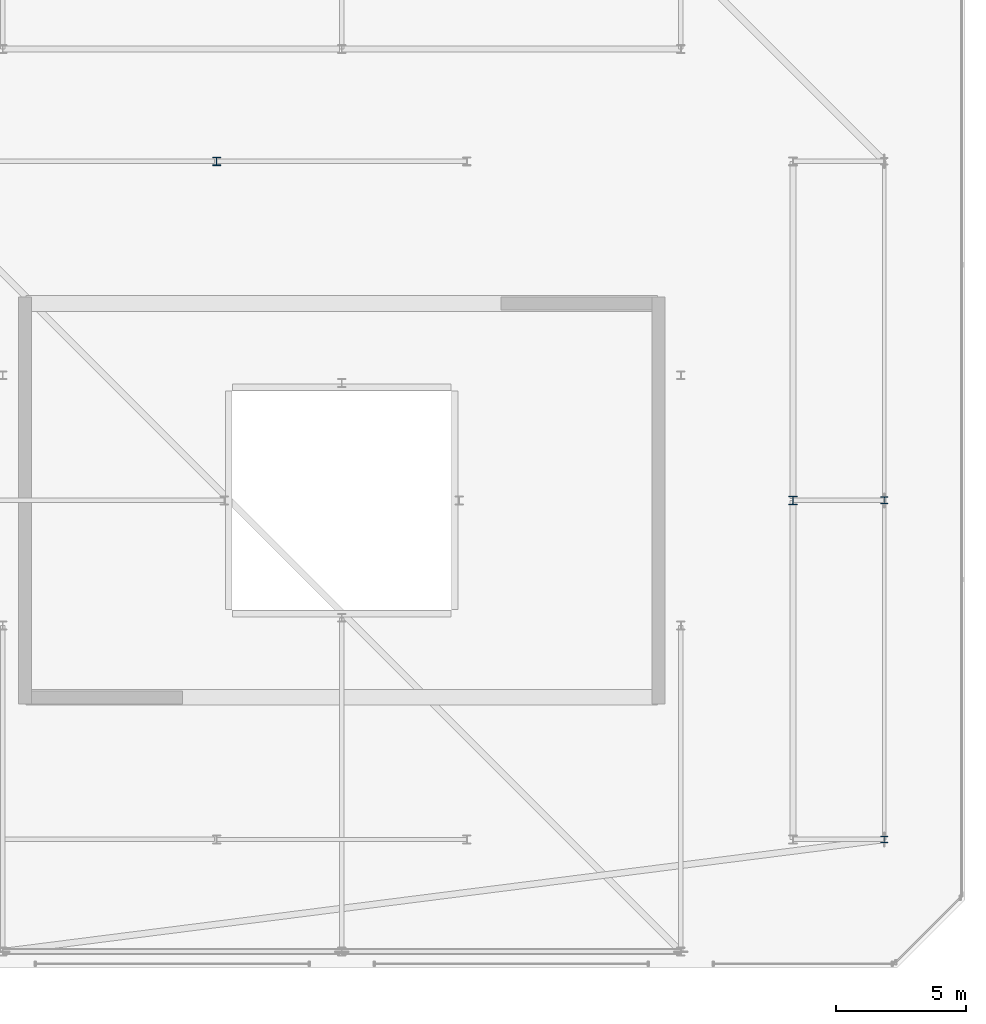
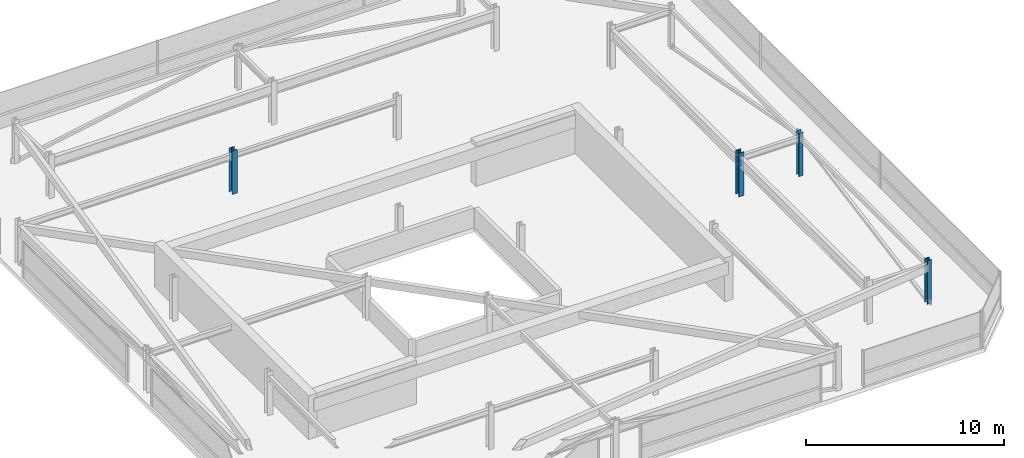
# One storey, part 7 of 44: 4 columns.
"""IFC4 building model written with IfcOpenShell, lengths in metres."""

from ifc_helpers import new_model, si_unit, direction, frame, origin, origin_2d, place, context, subcontext, project, spatial, i_section, extrude, material, material_profile, profile_set, type_object, element, save


model = new_model("IFC4")

# Units and contexts
model_context = context("Model", 3, precision=1e-05, world=origin(), true_north=direction((0.0, 1.0)))
body_context = subcontext(model_context, "Body", "Model", "MODEL_VIEW")
ifc_project = project(units=[si_unit("LENGTHUNIT", "METRE"), si_unit("AREAUNIT", "SQUARE_METRE"), si_unit("VOLUMEUNIT", "CUBIC_METRE"), si_unit("PLANEANGLEUNIT", "RADIAN"), si_unit("MASSUNIT", "GRAM", prefix="KILO")], contexts=[model_context])

# Site, building, storey
site_placement = place(None, origin())
site = spatial("IfcSite", under=ifc_project, at=site_placement, CompositionType="ELEMENT")
building_placement = place(site_placement, origin())
building = spatial("IfcBuilding", under=site, at=building_placement, Name="Thornwick Lancets Civic Towers", CompositionType="ELEMENT")
storey_placement = place(building_placement, frame((0.0, 0.0, 294.89990234375)))
storey = spatial("IfcBuildingStorey", under=building, at=storey_placement, Name="C06", CompositionType="ELEMENT", Elevation=294.89990234375)

# Columns
ifc_material = material(Name="Steel S355JR", Category="steel")
ifc_material_profile_1 = material_profile(ifc_material, i_section(OverallWidth=0.30908203125, OverallDepth=0.320556640625, WebThickness=0.013916015625, FlangeThickness=0.021728515625, FilletRadius=0.01513671875, at=origin_2d()), Name="UKC 305x305x137")
ifc_profile_set_1 = profile_set([ifc_material_profile_1], Name="Steel S355JR")
column_type_1 = type_object("IfcColumnType", Name="COL_UKC_137", PredefinedType="COLUMN", material=ifc_profile_set_1)
for number, where, z_axis, x_axis, name in (
    (1, (105.800048828125, 27.0, 0.0), (0.0, 0.0, 1.0), (1.0, 0.0, 0.0), "C06 Spine Mega-Column B02"),
    (2, (83.699951171875, 40.0, 0.0), (0.0, 0.0, 1.0), (1.0, 0.0, 0.0), "C06 Spine Mega-Column B16"),
):
    element("IfcColumn", number, at=place(storey_placement, frame(where, z_axis=z_axis, x_axis=x_axis)), inside=storey, type_object=column_type_1, Name=name, PredefinedType="COLUMN", context=body_context, shape_type="SweptSolid", body=[
        extrude(i_section(OverallWidth=0.30908203125, OverallDepth=0.320556640625, WebThickness=0.013916015625, FlangeThickness=0.021728515625, FilletRadius=0.01513671875, at=origin_2d()), origin(), (0.0, 0.0, 1.0), 2.7001953125),
    ])
ifc_material_profile_2 = material_profile(ifc_material, i_section(OverallWidth=0.25634765625, OverallDepth=0.26025390625, WebThickness=0.01025390625, FlangeThickness=0.017333984375, FilletRadius=0.0126953125, at=origin_2d()), Name="UKC 254x254x89")
ifc_profile_set_2 = profile_set([ifc_material_profile_2], Name="Steel S355JR")
column_type_2 = type_object("IfcColumnType", Name="COL_UKC_89", PredefinedType="COLUMN", material=ifc_profile_set_2)
for number, where, z_axis, x_axis, name in (
    (3, (109.300048828125, 14.0, 0.0), (0.0, 0.0, 1.0), (1.0, 0.0, 0.0), "C06 Block Perimeter Column B01"),
    (4, (109.300048828125, 27.0, 0.0), (0.0, 0.0, 1.0), (1.0, 0.0, 0.0), "C06 Block Perimeter Column B02"),
):
    element("IfcColumn", number, at=place(storey_placement, frame(where, z_axis=z_axis, x_axis=x_axis)), inside=storey, type_object=column_type_2, Name=name, PredefinedType="COLUMN", context=body_context, shape_type="SweptSolid", body=[
        extrude(i_section(OverallWidth=0.25634765625, OverallDepth=0.26025390625, WebThickness=0.01025390625, FlangeThickness=0.017333984375, FilletRadius=0.0126953125, at=origin_2d()), origin(), (0.0, 0.0, 1.0), 2.7001953125),
    ])

save(model, "model.ifc")
